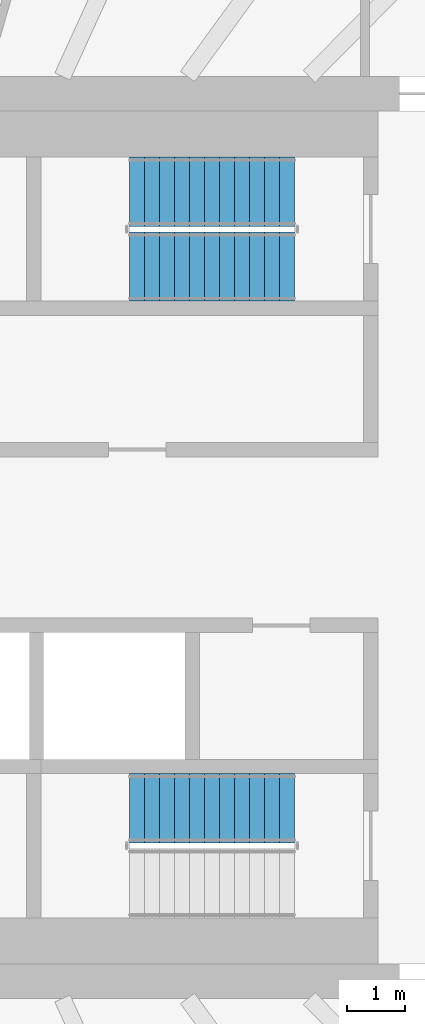
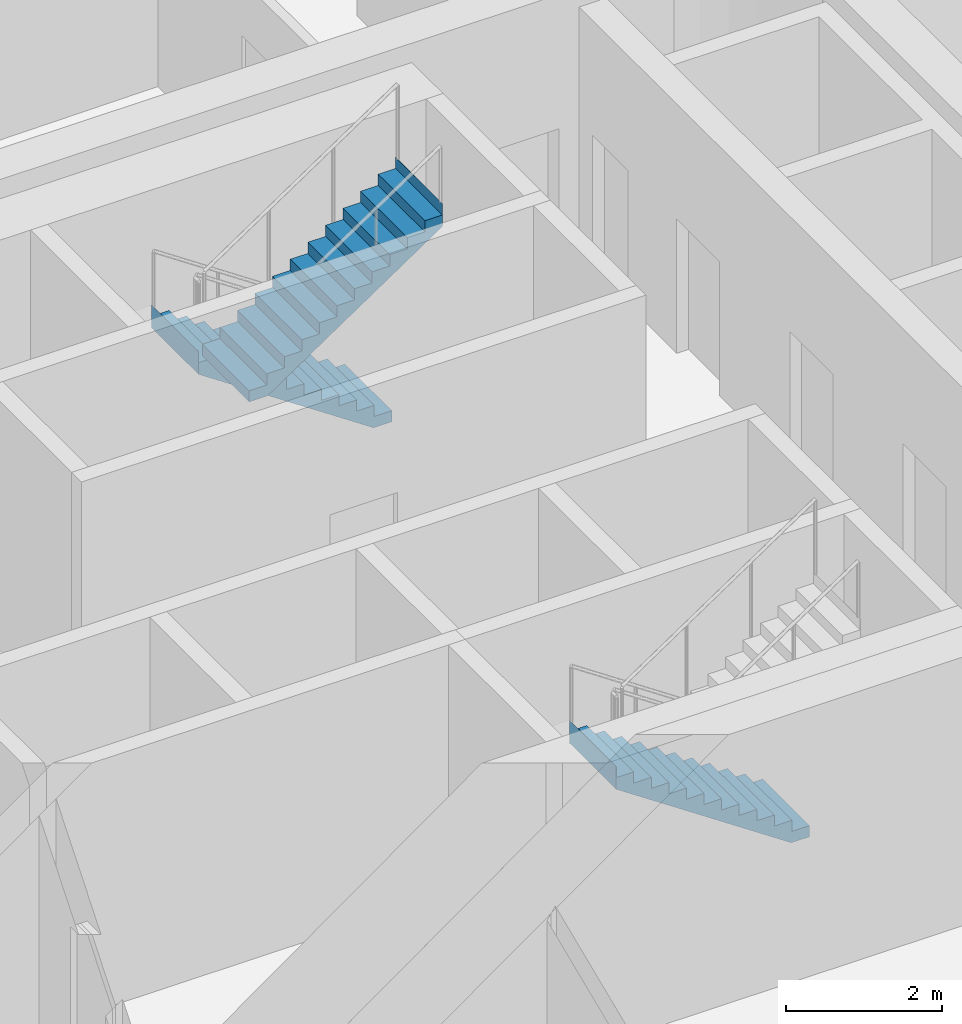
# One storey, part 20 of 26: 3 stair flights, 2 elements without a shape of their own.
"""IFC4 building model written with IfcOpenShell, lengths in metres."""

from ifc_helpers import new_model, si_unit, direction, frame, origin, place, context, subcontext, project, spatial, triangles, material, type_object, element, aggregate, save


model = new_model("IFC4")

# Units and contexts
model_context = context("Model", 3, precision=1e-05, world=origin(), true_north=direction((0.0, 1.0)))
body_context = subcontext(model_context, "Body", "Model", "MODEL_VIEW")
ifc_project = project(units=[si_unit("LENGTHUNIT", "METRE"), si_unit("AREAUNIT", "SQUARE_METRE"), si_unit("VOLUMEUNIT", "CUBIC_METRE"), si_unit("PLANEANGLEUNIT", "RADIAN"), si_unit("MASSUNIT", "GRAM", prefix="KILO")], contexts=[model_context])

# Site, building, storey
site_placement = place(None, origin())
site = spatial("IfcSite", under=ifc_project, at=site_placement, CompositionType="ELEMENT")
building_placement = place(site_placement, origin())
building = spatial("IfcBuilding", under=site, at=building_placement, Name="Sahrelin Media Tower", CompositionType="ELEMENT")
storey_placement = place(building_placement, frame((0.0, 0.0, 92.39990234375)))
storey = spatial("IfcBuildingStorey", under=building, at=storey_placement, Name="L17", CompositionType="ELEMENT", Elevation=92.39990234375)

# Stair, stair flights
ifc_material = material(Name="Concrete C40/50", Category="concrete")
stair_type = type_object("IfcStairType", Name="Exit stair 1200", PredefinedType="HALF_TURN_STAIR", material=ifc_material)
placement = place(storey_placement, origin())
stair_1 = element("IfcStair", 1, at=placement, inside=storey, type_object=stair_type, Name="L17 Exit stair ST3", PredefinedType="HALF_TURN_STAIR")
stair_flight_type = type_object("IfcStairFlightType", Name="Stair flight 1200", PredefinedType="STRAIGHT", material=ifc_material)
stair_flight_1_placement = place(storey_placement, frame((7.675048828125, 6.0, 0.0), z_axis=(0.0, 0.0, 1.0), x_axis=(-1.0, 0.0, 0.0)))
stair_flight_1 = element("IfcStairFlight", 2, at=stair_flight_1_placement, type_object=stair_flight_type, Name="ST3 flight 1", NumberOfRisers=12, NumberOfTreads=11, PredefinedType="STRAIGHT", RiserHeight=0.175, TreadLength=0.26, context=body_context, shape_type="Tessellation", body=[
    triangles([(0.2685546875, 0.60009765625, 0.0), (0.2685546875, 0.300048828125, 0.0), (0.2685546875, 0.0, 0.0), (0.2685546875, -0.300048828125, 0.0), (0.2685546875, -0.60009765625, 0.0), (2.860107421875, 0.60009765625, 1.744384765625), (2.860107421875, 0.300048828125, 1.744384765625), (2.860107421875, 0.0, 1.744384765625), (2.860107421875, -0.300048828125, 1.744384765625), (2.860107421875, -0.60009765625, 1.744384765625), (2.860107421875, 0.60009765625, 2.10009765625), (2.860107421875, 0.300048828125, 2.10009765625), (2.860107421875, 0.0, 2.10009765625), (2.860107421875, -0.300048828125, 2.10009765625), (2.860107421875, -0.60009765625, 2.10009765625), (2.85791015625, 0.60009765625, 2.10009765625), (2.85791015625, 0.300048828125, 2.10009765625), (2.85791015625, 0.0, 2.10009765625), (2.85791015625, -0.300048828125, 2.10009765625), (2.85791015625, -0.60009765625, 2.10009765625), (2.85791015625, 0.60009765625, 1.925048828125), (2.85791015625, 0.300048828125, 1.925048828125), (2.85791015625, 0.0, 1.925048828125), (2.85791015625, -0.300048828125, 1.925048828125), (2.85791015625, -0.60009765625, 1.925048828125), (2.60009765625, 0.60009765625, 1.925048828125), (2.60009765625, 0.300048828125, 1.925048828125), (2.60009765625, 0.0, 1.925048828125), (2.60009765625, -0.300048828125, 1.925048828125), (2.60009765625, -0.60009765625, 1.925048828125), (2.60009765625, 0.60009765625, 1.75), (2.60009765625, 0.300048828125, 1.75), (2.60009765625, 0.0, 1.75), (2.60009765625, -0.300048828125, 1.75), (2.60009765625, -0.60009765625, 1.75), (2.340087890625, 0.60009765625, 1.75), (2.340087890625, 0.300048828125, 1.75), (2.340087890625, 0.0, 1.75), (2.340087890625, -0.300048828125, 1.75), (2.340087890625, -0.60009765625, 1.75), (2.340087890625, 0.60009765625, 1.574951171875), (2.340087890625, 0.300048828125, 1.574951171875), (2.340087890625, 0.0, 1.574951171875), (2.340087890625, -0.300048828125, 1.574951171875), (2.340087890625, -0.60009765625, 1.574951171875), (2.080078125, 0.60009765625, 1.574951171875), (2.080078125, 0.300048828125, 1.574951171875), (2.080078125, 0.0, 1.574951171875), (2.080078125, -0.300048828125, 1.574951171875), (2.080078125, -0.60009765625, 1.574951171875), (2.080078125, 0.60009765625, 1.39990234375), (2.080078125, 0.300048828125, 1.39990234375), (2.080078125, 0.0, 1.39990234375), (2.080078125, -0.300048828125, 1.39990234375), (2.080078125, -0.60009765625, 1.39990234375), (1.820068359375, 0.60009765625, 1.39990234375), (1.820068359375, 0.300048828125, 1.39990234375), (1.820068359375, 0.0, 1.39990234375), (1.820068359375, -0.300048828125, 1.39990234375), (1.820068359375, -0.60009765625, 1.39990234375), (1.820068359375, 0.60009765625, 1.22509765625), (1.820068359375, 0.300048828125, 1.22509765625), (1.820068359375, 0.0, 1.22509765625), (1.820068359375, -0.300048828125, 1.22509765625), (1.820068359375, -0.60009765625, 1.22509765625), (1.56005859375, 0.60009765625, 1.22509765625), (1.56005859375, 0.300048828125, 1.22509765625), (1.56005859375, 0.0, 1.22509765625), (1.56005859375, -0.300048828125, 1.22509765625), (1.56005859375, -0.60009765625, 1.22509765625), (1.56005859375, 0.60009765625, 1.050048828125), (1.56005859375, 0.300048828125, 1.050048828125), (1.56005859375, 0.0, 1.050048828125), (1.56005859375, -0.300048828125, 1.050048828125), (1.56005859375, -0.60009765625, 1.050048828125), (1.300048828125, 0.60009765625, 1.050048828125), (1.300048828125, 0.300048828125, 1.050048828125), (1.300048828125, 0.0, 1.050048828125), (1.300048828125, -0.300048828125, 1.050048828125), (1.300048828125, -0.60009765625, 1.050048828125), (1.300048828125, 0.60009765625, 0.875), (1.300048828125, 0.300048828125, 0.875), (1.300048828125, 0.0, 0.875), (1.300048828125, -0.300048828125, 0.875), (1.300048828125, -0.60009765625, 0.875), (1.0400390625, 0.60009765625, 0.875), (1.0400390625, 0.300048828125, 0.875), (1.0400390625, 0.0, 0.875), (1.0400390625, -0.300048828125, 0.875), (1.0400390625, -0.60009765625, 0.875), (1.0400390625, 0.60009765625, 0.699951171875), (1.0400390625, 0.300048828125, 0.699951171875), (1.0400390625, 0.0, 0.699951171875), (1.0400390625, -0.300048828125, 0.699951171875), (1.0400390625, -0.60009765625, 0.699951171875), (0.780029296875, 0.60009765625, 0.699951171875), (0.780029296875, 0.300048828125, 0.699951171875), (0.780029296875, 0.0, 0.699951171875), (0.780029296875, -0.300048828125, 0.699951171875), (0.780029296875, -0.60009765625, 0.699951171875), (0.780029296875, 0.60009765625, 0.52490234375), (0.780029296875, 0.300048828125, 0.52490234375), (0.780029296875, 0.0, 0.52490234375), (0.780029296875, -0.300048828125, 0.52490234375), (0.780029296875, -0.60009765625, 0.52490234375), (0.52001953125, 0.60009765625, 0.52490234375), (0.52001953125, 0.300048828125, 0.52490234375), (0.52001953125, 0.0, 0.52490234375), (0.52001953125, -0.300048828125, 0.52490234375), (0.52001953125, -0.60009765625, 0.52490234375), (0.52001953125, 0.60009765625, 0.35009765625), (0.52001953125, 0.300048828125, 0.35009765625), (0.52001953125, 0.0, 0.35009765625), (0.52001953125, -0.300048828125, 0.35009765625), (0.52001953125, -0.60009765625, 0.35009765625), (0.260009765625, 0.60009765625, 0.35009765625), (0.260009765625, 0.300048828125, 0.35009765625), (0.260009765625, 0.0, 0.35009765625), (0.260009765625, -0.300048828125, 0.35009765625), (0.260009765625, -0.60009765625, 0.35009765625), (0.260009765625, 0.60009765625, 0.175048828125), (0.260009765625, 0.300048828125, 0.175048828125), (0.260009765625, 0.0, 0.175048828125), (0.260009765625, -0.300048828125, 0.175048828125), (0.260009765625, -0.60009765625, 0.175048828125), (0.0, 0.60009765625, 0.175048828125), (0.0, 0.300048828125, 0.175048828125), (0.0, 0.0, 0.175048828125), (0.0, -0.300048828125, 0.175048828125), (0.0, -0.60009765625, 0.175048828125), (0.0, 0.60009765625, 0.0), (0.0, 0.300048828125, 0.0), (0.0, 0.0, 0.0), (0.0, -0.300048828125, 0.0), (0.0, -0.60009765625, 0.0)], [[1, 6, 7], [1, 7, 2], [2, 7, 8], [2, 8, 3], [3, 8, 9], [3, 9, 4], [4, 9, 10], [4, 10, 5], [6, 11, 12], [6, 12, 7], [7, 12, 13], [7, 13, 8], [8, 13, 14], [8, 14, 9], [9, 14, 15], [9, 15, 10], [11, 16, 17], [11, 17, 12], [12, 17, 18], [12, 18, 13], [13, 18, 19], [13, 19, 14], [14, 19, 20], [14, 20, 15], [16, 21, 22], [16, 22, 17], [17, 22, 23], [17, 23, 18], [18, 23, 24], [18, 24, 19], [19, 24, 25], [19, 25, 20], [21, 26, 27], [21, 27, 22], [22, 27, 28], [22, 28, 23], [23, 28, 29], [23, 29, 24], [24, 29, 30], [24, 30, 25], [26, 31, 32], [26, 32, 27], [27, 32, 33], [27, 33, 28], [28, 33, 34], [28, 34, 29], [29, 34, 35], [29, 35, 30], [31, 36, 37], [31, 37, 32], [32, 37, 38], [32, 38, 33], [33, 38, 39], [33, 39, 34], [34, 39, 40], [34, 40, 35], [36, 41, 42], [36, 42, 37], [37, 42, 43], [37, 43, 38], [38, 43, 44], [38, 44, 39], [39, 44, 45], [39, 45, 40], [41, 46, 47], [41, 47, 42], [42, 47, 48], [42, 48, 43], [43, 48, 49], [43, 49, 44], [44, 49, 50], [44, 50, 45], [46, 51, 52], [46, 52, 47], [47, 52, 53], [47, 53, 48], [48, 53, 54], [48, 54, 49], [49, 54, 55], [49, 55, 50], [51, 56, 57], [51, 57, 52], [52, 57, 58], [52, 58, 53], [53, 58, 59], [53, 59, 54], [54, 59, 60], [54, 60, 55], [56, 61, 62], [56, 62, 57], [57, 62, 63], [57, 63, 58], [58, 63, 64], [58, 64, 59], [59, 64, 65], [59, 65, 60], [61, 66, 67], [61, 67, 62], [62, 67, 68], [62, 68, 63], [63, 68, 69], [63, 69, 64], [64, 69, 70], [64, 70, 65], [66, 71, 72], [66, 72, 67], [67, 72, 73], [67, 73, 68], [68, 73, 74], [68, 74, 69], [69, 74, 75], [69, 75, 70], [71, 76, 77], [71, 77, 72], [72, 77, 78], [72, 78, 73], [73, 78, 79], [73, 79, 74], [74, 79, 80], [74, 80, 75], [76, 81, 82], [76, 82, 77], [77, 82, 83], [77, 83, 78], [78, 83, 84], [78, 84, 79], [79, 84, 85], [79, 85, 80], [81, 86, 87], [81, 87, 82], [82, 87, 88], [82, 88, 83], [83, 88, 89], [83, 89, 84], [84, 89, 90], [84, 90, 85], [86, 91, 92], [86, 92, 87], [87, 92, 93], [87, 93, 88], [88, 93, 94], [88, 94, 89], [89, 94, 95], [89, 95, 90], [91, 96, 97], [91, 97, 92], [92, 97, 98], [92, 98, 93], [93, 98, 99], [93, 99, 94], [94, 99, 100], [94, 100, 95], [96, 101, 102], [96, 102, 97], [97, 102, 103], [97, 103, 98], [98, 103, 104], [98, 104, 99], [99, 104, 105], [99, 105, 100], [101, 106, 107], [101, 107, 102], [102, 107, 108], [102, 108, 103], [103, 108, 109], [103, 109, 104], [104, 109, 110], [104, 110, 105], [106, 111, 112], [106, 112, 107], [107, 112, 113], [107, 113, 108], [108, 113, 114], [108, 114, 109], [109, 114, 115], [109, 115, 110], [111, 116, 117], [111, 117, 112], [112, 117, 118], [112, 118, 113], [113, 118, 119], [113, 119, 114], [114, 119, 120], [114, 120, 115], [116, 121, 122], [116, 122, 117], [117, 122, 123], [117, 123, 118], [118, 123, 124], [118, 124, 119], [119, 124, 125], [119, 125, 120], [121, 126, 127], [121, 127, 122], [122, 127, 128], [122, 128, 123], [123, 128, 129], [123, 129, 124], [124, 129, 130], [124, 130, 125], [126, 131, 132], [126, 132, 127], [127, 132, 133], [127, 133, 128], [128, 133, 134], [128, 134, 129], [129, 134, 135], [129, 135, 130], [131, 1, 2], [131, 2, 132], [132, 2, 3], [132, 3, 133], [133, 3, 4], [133, 4, 134], [134, 4, 5], [134, 5, 135], [125, 130, 135], [121, 131, 126], [125, 115, 120], [121, 116, 111], [115, 105, 110], [111, 106, 101], [105, 95, 100], [101, 96, 91], [95, 85, 90], [91, 86, 81], [85, 75, 80], [81, 76, 71], [75, 65, 70], [71, 66, 61], [65, 55, 60], [61, 56, 51], [55, 45, 50], [51, 46, 41], [45, 35, 40], [41, 36, 31], [35, 25, 30], [31, 26, 21], [25, 15, 20], [21, 16, 11], [135, 5, 125], [131, 121, 1], [95, 105, 5], [91, 1, 101], [5, 10, 75], [1, 71, 6], [10, 35, 45], [6, 41, 31], [25, 10, 15], [21, 11, 6], [115, 125, 5], [111, 1, 121], [75, 85, 5], [71, 1, 81], [35, 10, 25], [31, 21, 6], [105, 115, 5], [101, 1, 111], [45, 55, 10], [41, 6, 51], [85, 95, 5], [81, 1, 91], [65, 10, 55], [61, 51, 6], [10, 65, 75], [6, 71, 61]], closed=True),
])
stair_flight_2_placement = place(storey_placement, frame((4.81494140625, 4.699951171875, 2.10009765625), z_axis=(0.0, 0.0, 1.0), x_axis=(1.0, 0.0, 0.0)))
stair_flight_2 = element("IfcStairFlight", 3, at=stair_flight_2_placement, type_object=stair_flight_type, Name="ST3 flight 2", NumberOfRisers=12, NumberOfTreads=11, PredefinedType="STRAIGHT", RiserHeight=0.175, TreadLength=0.26, context=body_context, shape_type="Tessellation", body=[
    triangles([(0.2685546875, 0.60009765625, 0.0), (0.2685546875, 0.300048828125, 0.0), (0.2685546875, 0.0, 0.0), (0.2685546875, -0.300048828125, 0.0), (0.2685546875, -0.60009765625, 0.0), (2.860107421875, 0.60009765625, 1.744384765625), (2.860107421875, 0.300048828125, 1.744384765625), (2.860107421875, 0.0, 1.744384765625), (2.860107421875, -0.300048828125, 1.744384765625), (2.860107421875, -0.60009765625, 1.744384765625), (2.860107421875, 0.60009765625, 2.10009765625), (2.860107421875, 0.300048828125, 2.10009765625), (2.860107421875, 0.0, 2.10009765625), (2.860107421875, -0.300048828125, 2.10009765625), (2.860107421875, -0.60009765625, 2.10009765625), (2.85791015625, 0.60009765625, 2.10009765625), (2.85791015625, 0.300048828125, 2.10009765625), (2.85791015625, 0.0, 2.10009765625), (2.85791015625, -0.300048828125, 2.10009765625), (2.85791015625, -0.60009765625, 2.10009765625), (2.85791015625, 0.60009765625, 1.925048828125), (2.85791015625, 0.300048828125, 1.925048828125), (2.85791015625, 0.0, 1.925048828125), (2.85791015625, -0.300048828125, 1.925048828125), (2.85791015625, -0.60009765625, 1.925048828125), (2.60009765625, 0.60009765625, 1.925048828125), (2.60009765625, 0.300048828125, 1.925048828125), (2.60009765625, 0.0, 1.925048828125), (2.60009765625, -0.300048828125, 1.925048828125), (2.60009765625, -0.60009765625, 1.925048828125), (2.60009765625, 0.60009765625, 1.75), (2.60009765625, 0.300048828125, 1.75), (2.60009765625, 0.0, 1.75), (2.60009765625, -0.300048828125, 1.75), (2.60009765625, -0.60009765625, 1.75), (2.340087890625, 0.60009765625, 1.75), (2.340087890625, 0.300048828125, 1.75), (2.340087890625, 0.0, 1.75), (2.340087890625, -0.300048828125, 1.75), (2.340087890625, -0.60009765625, 1.75), (2.340087890625, 0.60009765625, 1.574951171875), (2.340087890625, 0.300048828125, 1.574951171875), (2.340087890625, 0.0, 1.574951171875), (2.340087890625, -0.300048828125, 1.574951171875), (2.340087890625, -0.60009765625, 1.574951171875), (2.080078125, 0.60009765625, 1.574951171875), (2.080078125, 0.300048828125, 1.574951171875), (2.080078125, 0.0, 1.574951171875), (2.080078125, -0.300048828125, 1.574951171875), (2.080078125, -0.60009765625, 1.574951171875), (2.080078125, 0.60009765625, 1.39990234375), (2.080078125, 0.300048828125, 1.39990234375), (2.080078125, 0.0, 1.39990234375), (2.080078125, -0.300048828125, 1.39990234375), (2.080078125, -0.60009765625, 1.39990234375), (1.820068359375, 0.60009765625, 1.39990234375), (1.820068359375, 0.300048828125, 1.39990234375), (1.820068359375, 0.0, 1.39990234375), (1.820068359375, -0.300048828125, 1.39990234375), (1.820068359375, -0.60009765625, 1.39990234375), (1.820068359375, 0.60009765625, 1.22509765625), (1.820068359375, 0.300048828125, 1.22509765625), (1.820068359375, 0.0, 1.22509765625), (1.820068359375, -0.300048828125, 1.22509765625), (1.820068359375, -0.60009765625, 1.22509765625), (1.56005859375, 0.60009765625, 1.22509765625), (1.56005859375, 0.300048828125, 1.22509765625), (1.56005859375, 0.0, 1.22509765625), (1.56005859375, -0.300048828125, 1.22509765625), (1.56005859375, -0.60009765625, 1.22509765625), (1.56005859375, 0.60009765625, 1.050048828125), (1.56005859375, 0.300048828125, 1.050048828125), (1.56005859375, 0.0, 1.050048828125), (1.56005859375, -0.300048828125, 1.050048828125), (1.56005859375, -0.60009765625, 1.050048828125), (1.300048828125, 0.60009765625, 1.050048828125), (1.300048828125, 0.300048828125, 1.050048828125), (1.300048828125, 0.0, 1.050048828125), (1.300048828125, -0.300048828125, 1.050048828125), (1.300048828125, -0.60009765625, 1.050048828125), (1.300048828125, 0.60009765625, 0.875), (1.300048828125, 0.300048828125, 0.875), (1.300048828125, 0.0, 0.875), (1.300048828125, -0.300048828125, 0.875), (1.300048828125, -0.60009765625, 0.875), (1.0400390625, 0.60009765625, 0.875), (1.0400390625, 0.300048828125, 0.875), (1.0400390625, 0.0, 0.875), (1.0400390625, -0.300048828125, 0.875), (1.0400390625, -0.60009765625, 0.875), (1.0400390625, 0.60009765625, 0.699951171875), (1.0400390625, 0.300048828125, 0.699951171875), (1.0400390625, 0.0, 0.699951171875), (1.0400390625, -0.300048828125, 0.699951171875), (1.0400390625, -0.60009765625, 0.699951171875), (0.780029296875, 0.60009765625, 0.699951171875), (0.780029296875, 0.300048828125, 0.699951171875), (0.780029296875, 0.0, 0.699951171875), (0.780029296875, -0.300048828125, 0.699951171875), (0.780029296875, -0.60009765625, 0.699951171875), (0.780029296875, 0.60009765625, 0.52490234375), (0.780029296875, 0.300048828125, 0.52490234375), (0.780029296875, 0.0, 0.52490234375), (0.780029296875, -0.300048828125, 0.52490234375), (0.780029296875, -0.60009765625, 0.52490234375), (0.52001953125, 0.60009765625, 0.52490234375), (0.52001953125, 0.300048828125, 0.52490234375), (0.52001953125, 0.0, 0.52490234375), (0.52001953125, -0.300048828125, 0.52490234375), (0.52001953125, -0.60009765625, 0.52490234375), (0.52001953125, 0.60009765625, 0.35009765625), (0.52001953125, 0.300048828125, 0.35009765625), (0.52001953125, 0.0, 0.35009765625), (0.52001953125, -0.300048828125, 0.35009765625), (0.52001953125, -0.60009765625, 0.35009765625), (0.260009765625, 0.60009765625, 0.35009765625), (0.260009765625, 0.300048828125, 0.35009765625), (0.260009765625, 0.0, 0.35009765625), (0.260009765625, -0.300048828125, 0.35009765625), (0.260009765625, -0.60009765625, 0.35009765625), (0.260009765625, 0.60009765625, 0.175048828125), (0.260009765625, 0.300048828125, 0.175048828125), (0.260009765625, 0.0, 0.175048828125), (0.260009765625, -0.300048828125, 0.175048828125), (0.260009765625, -0.60009765625, 0.175048828125), (0.0, 0.60009765625, 0.175048828125), (0.0, 0.300048828125, 0.175048828125), (0.0, 0.0, 0.175048828125), (0.0, -0.300048828125, 0.175048828125), (0.0, -0.60009765625, 0.175048828125), (0.0, 0.60009765625, 0.0), (0.0, 0.300048828125, 0.0), (0.0, 0.0, 0.0), (0.0, -0.300048828125, 0.0), (0.0, -0.60009765625, 0.0)], [[1, 6, 7], [1, 7, 2], [2, 7, 8], [2, 8, 3], [3, 8, 9], [3, 9, 4], [4, 9, 10], [4, 10, 5], [6, 11, 12], [6, 12, 7], [7, 12, 13], [7, 13, 8], [8, 13, 14], [8, 14, 9], [9, 14, 15], [9, 15, 10], [11, 16, 17], [11, 17, 12], [12, 17, 18], [12, 18, 13], [13, 18, 19], [13, 19, 14], [14, 19, 20], [14, 20, 15], [16, 21, 22], [16, 22, 17], [17, 22, 23], [17, 23, 18], [18, 23, 24], [18, 24, 19], [19, 24, 25], [19, 25, 20], [21, 26, 27], [21, 27, 22], [22, 27, 28], [22, 28, 23], [23, 28, 29], [23, 29, 24], [24, 29, 30], [24, 30, 25], [26, 31, 32], [26, 32, 27], [27, 32, 33], [27, 33, 28], [28, 33, 34], [28, 34, 29], [29, 34, 35], [29, 35, 30], [31, 36, 37], [31, 37, 32], [32, 37, 38], [32, 38, 33], [33, 38, 39], [33, 39, 34], [34, 39, 40], [34, 40, 35], [36, 41, 42], [36, 42, 37], [37, 42, 43], [37, 43, 38], [38, 43, 44], [38, 44, 39], [39, 44, 45], [39, 45, 40], [41, 46, 47], [41, 47, 42], [42, 47, 48], [42, 48, 43], [43, 48, 49], [43, 49, 44], [44, 49, 50], [44, 50, 45], [46, 51, 52], [46, 52, 47], [47, 52, 53], [47, 53, 48], [48, 53, 54], [48, 54, 49], [49, 54, 55], [49, 55, 50], [51, 56, 57], [51, 57, 52], [52, 57, 58], [52, 58, 53], [53, 58, 59], [53, 59, 54], [54, 59, 60], [54, 60, 55], [56, 61, 62], [56, 62, 57], [57, 62, 63], [57, 63, 58], [58, 63, 64], [58, 64, 59], [59, 64, 65], [59, 65, 60], [61, 66, 67], [61, 67, 62], [62, 67, 68], [62, 68, 63], [63, 68, 69], [63, 69, 64], [64, 69, 70], [64, 70, 65], [66, 71, 72], [66, 72, 67], [67, 72, 73], [67, 73, 68], [68, 73, 74], [68, 74, 69], [69, 74, 75], [69, 75, 70], [71, 76, 77], [71, 77, 72], [72, 77, 78], [72, 78, 73], [73, 78, 79], [73, 79, 74], [74, 79, 80], [74, 80, 75], [76, 81, 82], [76, 82, 77], [77, 82, 83], [77, 83, 78], [78, 83, 84], [78, 84, 79], [79, 84, 85], [79, 85, 80], [81, 86, 87], [81, 87, 82], [82, 87, 88], [82, 88, 83], [83, 88, 89], [83, 89, 84], [84, 89, 90], [84, 90, 85], [86, 91, 92], [86, 92, 87], [87, 92, 93], [87, 93, 88], [88, 93, 94], [88, 94, 89], [89, 94, 95], [89, 95, 90], [91, 96, 97], [91, 97, 92], [92, 97, 98], [92, 98, 93], [93, 98, 99], [93, 99, 94], [94, 99, 100], [94, 100, 95], [96, 101, 102], [96, 102, 97], [97, 102, 103], [97, 103, 98], [98, 103, 104], [98, 104, 99], [99, 104, 105], [99, 105, 100], [101, 106, 107], [101, 107, 102], [102, 107, 108], [102, 108, 103], [103, 108, 109], [103, 109, 104], [104, 109, 110], [104, 110, 105], [106, 111, 112], [106, 112, 107], [107, 112, 113], [107, 113, 108], [108, 113, 114], [108, 114, 109], [109, 114, 115], [109, 115, 110], [111, 116, 117], [111, 117, 112], [112, 117, 118], [112, 118, 113], [113, 118, 119], [113, 119, 114], [114, 119, 120], [114, 120, 115], [116, 121, 122], [116, 122, 117], [117, 122, 123], [117, 123, 118], [118, 123, 124], [118, 124, 119], [119, 124, 125], [119, 125, 120], [121, 126, 127], [121, 127, 122], [122, 127, 128], [122, 128, 123], [123, 128, 129], [123, 129, 124], [124, 129, 130], [124, 130, 125], [126, 131, 132], [126, 132, 127], [127, 132, 133], [127, 133, 128], [128, 133, 134], [128, 134, 129], [129, 134, 135], [129, 135, 130], [131, 1, 2], [131, 2, 132], [132, 2, 3], [132, 3, 133], [133, 3, 4], [133, 4, 134], [134, 4, 5], [134, 5, 135], [125, 130, 135], [121, 131, 126], [125, 115, 120], [121, 116, 111], [115, 105, 110], [111, 106, 101], [105, 95, 100], [101, 96, 91], [95, 85, 90], [91, 86, 81], [85, 75, 80], [81, 76, 71], [75, 65, 70], [71, 66, 61], [65, 55, 60], [61, 56, 51], [55, 45, 50], [51, 46, 41], [45, 35, 40], [41, 36, 31], [35, 25, 30], [31, 26, 21], [25, 15, 20], [21, 16, 11], [135, 5, 125], [131, 121, 1], [95, 105, 5], [91, 1, 101], [5, 10, 75], [1, 71, 6], [10, 35, 45], [6, 41, 31], [25, 10, 15], [21, 11, 6], [115, 125, 5], [111, 1, 121], [75, 85, 5], [71, 1, 81], [35, 10, 25], [31, 21, 6], [105, 115, 5], [101, 1, 111], [45, 55, 10], [41, 6, 51], [85, 95, 5], [81, 1, 91], [65, 10, 55], [61, 51, 6], [10, 65, 75], [6, 71, 61]], closed=True),
])
aggregate(stair_1, [stair_flight_1, stair_flight_2])

# Stair, stair flight
stair_2 = element("IfcStair", 4, at=placement, inside=storey, type_object=stair_type, Name="L17 Exit stair ST2", PredefinedType="HALF_TURN_STAIR")
stair_flight_3_placement = place(storey_placement, frame((7.675048828125, -4.699951171875, 0.0), z_axis=(0.0, 0.0, 1.0), x_axis=(-1.0, 0.0, 0.0)))
stair_flight_3 = element("IfcStairFlight", 5, at=stair_flight_3_placement, type_object=stair_flight_type, Name="ST2 flight 1", NumberOfRisers=12, NumberOfTreads=11, PredefinedType="STRAIGHT", RiserHeight=0.175, TreadLength=0.26, context=body_context, shape_type="Tessellation", body=[
    triangles([(0.2685546875, 0.60009765625, 0.0), (0.2685546875, 0.300048828125, 0.0), (0.2685546875, 0.0, 0.0), (0.2685546875, -0.300048828125, 0.0), (0.2685546875, -0.60009765625, 0.0), (2.860107421875, 0.60009765625, 1.744384765625), (2.860107421875, 0.300048828125, 1.744384765625), (2.860107421875, 0.0, 1.744384765625), (2.860107421875, -0.300048828125, 1.744384765625), (2.860107421875, -0.60009765625, 1.744384765625), (2.860107421875, 0.60009765625, 2.10009765625), (2.860107421875, 0.300048828125, 2.10009765625), (2.860107421875, 0.0, 2.10009765625), (2.860107421875, -0.300048828125, 2.10009765625), (2.860107421875, -0.60009765625, 2.10009765625), (2.85791015625, 0.60009765625, 2.10009765625), (2.85791015625, 0.300048828125, 2.10009765625), (2.85791015625, 0.0, 2.10009765625), (2.85791015625, -0.300048828125, 2.10009765625), (2.85791015625, -0.60009765625, 2.10009765625), (2.85791015625, 0.60009765625, 1.925048828125), (2.85791015625, 0.300048828125, 1.925048828125), (2.85791015625, 0.0, 1.925048828125), (2.85791015625, -0.300048828125, 1.925048828125), (2.85791015625, -0.60009765625, 1.925048828125), (2.60009765625, 0.60009765625, 1.925048828125), (2.60009765625, 0.300048828125, 1.925048828125), (2.60009765625, 0.0, 1.925048828125), (2.60009765625, -0.300048828125, 1.925048828125), (2.60009765625, -0.60009765625, 1.925048828125), (2.60009765625, 0.60009765625, 1.75), (2.60009765625, 0.300048828125, 1.75), (2.60009765625, 0.0, 1.75), (2.60009765625, -0.300048828125, 1.75), (2.60009765625, -0.60009765625, 1.75), (2.340087890625, 0.60009765625, 1.75), (2.340087890625, 0.300048828125, 1.75), (2.340087890625, 0.0, 1.75), (2.340087890625, -0.300048828125, 1.75), (2.340087890625, -0.60009765625, 1.75), (2.340087890625, 0.60009765625, 1.574951171875), (2.340087890625, 0.300048828125, 1.574951171875), (2.340087890625, 0.0, 1.574951171875), (2.340087890625, -0.300048828125, 1.574951171875), (2.340087890625, -0.60009765625, 1.574951171875), (2.080078125, 0.60009765625, 1.574951171875), (2.080078125, 0.300048828125, 1.574951171875), (2.080078125, 0.0, 1.574951171875), (2.080078125, -0.300048828125, 1.574951171875), (2.080078125, -0.60009765625, 1.574951171875), (2.080078125, 0.60009765625, 1.39990234375), (2.080078125, 0.300048828125, 1.39990234375), (2.080078125, 0.0, 1.39990234375), (2.080078125, -0.300048828125, 1.39990234375), (2.080078125, -0.60009765625, 1.39990234375), (1.820068359375, 0.60009765625, 1.39990234375), (1.820068359375, 0.300048828125, 1.39990234375), (1.820068359375, 0.0, 1.39990234375), (1.820068359375, -0.300048828125, 1.39990234375), (1.820068359375, -0.60009765625, 1.39990234375), (1.820068359375, 0.60009765625, 1.22509765625), (1.820068359375, 0.300048828125, 1.22509765625), (1.820068359375, 0.0, 1.22509765625), (1.820068359375, -0.300048828125, 1.22509765625), (1.820068359375, -0.60009765625, 1.22509765625), (1.56005859375, 0.60009765625, 1.22509765625), (1.56005859375, 0.300048828125, 1.22509765625), (1.56005859375, 0.0, 1.22509765625), (1.56005859375, -0.300048828125, 1.22509765625), (1.56005859375, -0.60009765625, 1.22509765625), (1.56005859375, 0.60009765625, 1.050048828125), (1.56005859375, 0.300048828125, 1.050048828125), (1.56005859375, 0.0, 1.050048828125), (1.56005859375, -0.300048828125, 1.050048828125), (1.56005859375, -0.60009765625, 1.050048828125), (1.300048828125, 0.60009765625, 1.050048828125), (1.300048828125, 0.300048828125, 1.050048828125), (1.300048828125, 0.0, 1.050048828125), (1.300048828125, -0.300048828125, 1.050048828125), (1.300048828125, -0.60009765625, 1.050048828125), (1.300048828125, 0.60009765625, 0.875), (1.300048828125, 0.300048828125, 0.875), (1.300048828125, 0.0, 0.875), (1.300048828125, -0.300048828125, 0.875), (1.300048828125, -0.60009765625, 0.875), (1.0400390625, 0.60009765625, 0.875), (1.0400390625, 0.300048828125, 0.875), (1.0400390625, 0.0, 0.875), (1.0400390625, -0.300048828125, 0.875), (1.0400390625, -0.60009765625, 0.875), (1.0400390625, 0.60009765625, 0.699951171875), (1.0400390625, 0.300048828125, 0.699951171875), (1.0400390625, 0.0, 0.699951171875), (1.0400390625, -0.300048828125, 0.699951171875), (1.0400390625, -0.60009765625, 0.699951171875), (0.780029296875, 0.60009765625, 0.699951171875), (0.780029296875, 0.300048828125, 0.699951171875), (0.780029296875, 0.0, 0.699951171875), (0.780029296875, -0.300048828125, 0.699951171875), (0.780029296875, -0.60009765625, 0.699951171875), (0.780029296875, 0.60009765625, 0.52490234375), (0.780029296875, 0.300048828125, 0.52490234375), (0.780029296875, 0.0, 0.52490234375), (0.780029296875, -0.300048828125, 0.52490234375), (0.780029296875, -0.60009765625, 0.52490234375), (0.52001953125, 0.60009765625, 0.52490234375), (0.52001953125, 0.300048828125, 0.52490234375), (0.52001953125, 0.0, 0.52490234375), (0.52001953125, -0.300048828125, 0.52490234375), (0.52001953125, -0.60009765625, 0.52490234375), (0.52001953125, 0.60009765625, 0.35009765625), (0.52001953125, 0.300048828125, 0.35009765625), (0.52001953125, 0.0, 0.35009765625), (0.52001953125, -0.300048828125, 0.35009765625), (0.52001953125, -0.60009765625, 0.35009765625), (0.260009765625, 0.60009765625, 0.35009765625), (0.260009765625, 0.300048828125, 0.35009765625), (0.260009765625, 0.0, 0.35009765625), (0.260009765625, -0.300048828125, 0.35009765625), (0.260009765625, -0.60009765625, 0.35009765625), (0.260009765625, 0.60009765625, 0.175048828125), (0.260009765625, 0.300048828125, 0.175048828125), (0.260009765625, 0.0, 0.175048828125), (0.260009765625, -0.300048828125, 0.175048828125), (0.260009765625, -0.60009765625, 0.175048828125), (0.0, 0.60009765625, 0.175048828125), (0.0, 0.300048828125, 0.175048828125), (0.0, 0.0, 0.175048828125), (0.0, -0.300048828125, 0.175048828125), (0.0, -0.60009765625, 0.175048828125), (0.0, 0.60009765625, 0.0), (0.0, 0.300048828125, 0.0), (0.0, 0.0, 0.0), (0.0, -0.300048828125, 0.0), (0.0, -0.60009765625, 0.0)], [[1, 6, 7], [1, 7, 2], [2, 7, 8], [2, 8, 3], [3, 8, 9], [3, 9, 4], [4, 9, 10], [4, 10, 5], [6, 11, 12], [6, 12, 7], [7, 12, 13], [7, 13, 8], [8, 13, 14], [8, 14, 9], [9, 14, 15], [9, 15, 10], [11, 16, 17], [11, 17, 12], [12, 17, 18], [12, 18, 13], [13, 18, 19], [13, 19, 14], [14, 19, 20], [14, 20, 15], [16, 21, 22], [16, 22, 17], [17, 22, 23], [17, 23, 18], [18, 23, 24], [18, 24, 19], [19, 24, 25], [19, 25, 20], [21, 26, 27], [21, 27, 22], [22, 27, 28], [22, 28, 23], [23, 28, 29], [23, 29, 24], [24, 29, 30], [24, 30, 25], [26, 31, 32], [26, 32, 27], [27, 32, 33], [27, 33, 28], [28, 33, 34], [28, 34, 29], [29, 34, 35], [29, 35, 30], [31, 36, 37], [31, 37, 32], [32, 37, 38], [32, 38, 33], [33, 38, 39], [33, 39, 34], [34, 39, 40], [34, 40, 35], [36, 41, 42], [36, 42, 37], [37, 42, 43], [37, 43, 38], [38, 43, 44], [38, 44, 39], [39, 44, 45], [39, 45, 40], [41, 46, 47], [41, 47, 42], [42, 47, 48], [42, 48, 43], [43, 48, 49], [43, 49, 44], [44, 49, 50], [44, 50, 45], [46, 51, 52], [46, 52, 47], [47, 52, 53], [47, 53, 48], [48, 53, 54], [48, 54, 49], [49, 54, 55], [49, 55, 50], [51, 56, 57], [51, 57, 52], [52, 57, 58], [52, 58, 53], [53, 58, 59], [53, 59, 54], [54, 59, 60], [54, 60, 55], [56, 61, 62], [56, 62, 57], [57, 62, 63], [57, 63, 58], [58, 63, 64], [58, 64, 59], [59, 64, 65], [59, 65, 60], [61, 66, 67], [61, 67, 62], [62, 67, 68], [62, 68, 63], [63, 68, 69], [63, 69, 64], [64, 69, 70], [64, 70, 65], [66, 71, 72], [66, 72, 67], [67, 72, 73], [67, 73, 68], [68, 73, 74], [68, 74, 69], [69, 74, 75], [69, 75, 70], [71, 76, 77], [71, 77, 72], [72, 77, 78], [72, 78, 73], [73, 78, 79], [73, 79, 74], [74, 79, 80], [74, 80, 75], [76, 81, 82], [76, 82, 77], [77, 82, 83], [77, 83, 78], [78, 83, 84], [78, 84, 79], [79, 84, 85], [79, 85, 80], [81, 86, 87], [81, 87, 82], [82, 87, 88], [82, 88, 83], [83, 88, 89], [83, 89, 84], [84, 89, 90], [84, 90, 85], [86, 91, 92], [86, 92, 87], [87, 92, 93], [87, 93, 88], [88, 93, 94], [88, 94, 89], [89, 94, 95], [89, 95, 90], [91, 96, 97], [91, 97, 92], [92, 97, 98], [92, 98, 93], [93, 98, 99], [93, 99, 94], [94, 99, 100], [94, 100, 95], [96, 101, 102], [96, 102, 97], [97, 102, 103], [97, 103, 98], [98, 103, 104], [98, 104, 99], [99, 104, 105], [99, 105, 100], [101, 106, 107], [101, 107, 102], [102, 107, 108], [102, 108, 103], [103, 108, 109], [103, 109, 104], [104, 109, 110], [104, 110, 105], [106, 111, 112], [106, 112, 107], [107, 112, 113], [107, 113, 108], [108, 113, 114], [108, 114, 109], [109, 114, 115], [109, 115, 110], [111, 116, 117], [111, 117, 112], [112, 117, 118], [112, 118, 113], [113, 118, 119], [113, 119, 114], [114, 119, 120], [114, 120, 115], [116, 121, 122], [116, 122, 117], [117, 122, 123], [117, 123, 118], [118, 123, 124], [118, 124, 119], [119, 124, 125], [119, 125, 120], [121, 126, 127], [121, 127, 122], [122, 127, 128], [122, 128, 123], [123, 128, 129], [123, 129, 124], [124, 129, 130], [124, 130, 125], [126, 131, 132], [126, 132, 127], [127, 132, 133], [127, 133, 128], [128, 133, 134], [128, 134, 129], [129, 134, 135], [129, 135, 130], [131, 1, 2], [131, 2, 132], [132, 2, 3], [132, 3, 133], [133, 3, 4], [133, 4, 134], [134, 4, 5], [134, 5, 135], [125, 130, 135], [121, 131, 126], [125, 115, 120], [121, 116, 111], [115, 105, 110], [111, 106, 101], [105, 95, 100], [101, 96, 91], [95, 85, 90], [91, 86, 81], [85, 75, 80], [81, 76, 71], [75, 65, 70], [71, 66, 61], [65, 55, 60], [61, 56, 51], [55, 45, 50], [51, 46, 41], [45, 35, 40], [41, 36, 31], [35, 25, 30], [31, 26, 21], [25, 15, 20], [21, 16, 11], [135, 5, 125], [131, 121, 1], [95, 105, 5], [91, 1, 101], [5, 10, 75], [1, 71, 6], [10, 35, 45], [6, 41, 31], [25, 10, 15], [21, 11, 6], [115, 125, 5], [111, 1, 121], [75, 85, 5], [71, 1, 81], [35, 10, 25], [31, 21, 6], [105, 115, 5], [101, 1, 111], [45, 55, 10], [41, 6, 51], [85, 95, 5], [81, 1, 91], [65, 10, 55], [61, 51, 6], [10, 65, 75], [6, 71, 61]], closed=True),
])
aggregate(stair_2, [stair_flight_3])

save(model, "model.ifc")
